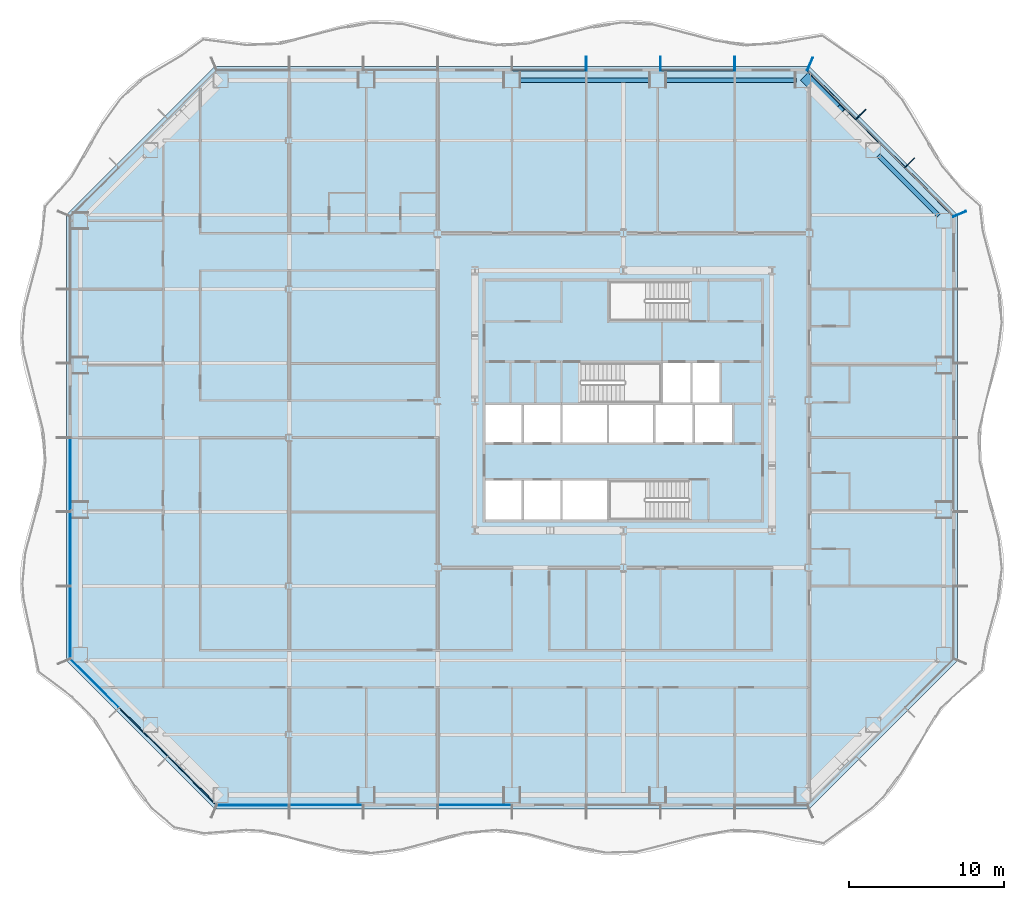
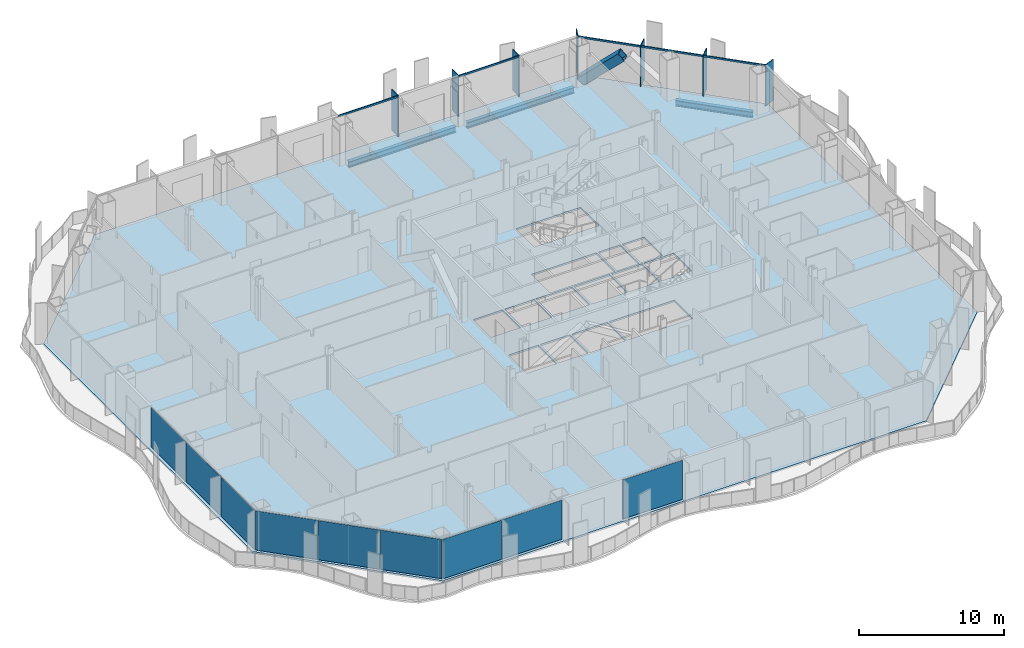
# One storey, part 4 of 20: 13 members, 9 plates, 3 beams, 1 slab, 5 elements without a shape of their own.
"""IFC4 building model written with IfcOpenShell, lengths in metres."""

from ifc_helpers import new_model, si_unit, direction, frame, origin, origin_2d, place, context, subcontext, project, spatial, polyline, rectangle, hollow_rectangle, i_section, outline, extrude, material, layer, layer_set, material_profile, profile_set, type_object, element, aggregate, save


model = new_model("IFC4")

# Units and contexts
model_context = context("Model", 3, precision=1e-05, world=origin(), true_north=direction((0.0, 1.0)))
body_context = subcontext(model_context, "Body", "Model", "MODEL_VIEW")
ifc_project = project(units=[si_unit("LENGTHUNIT", "METRE"), si_unit("AREAUNIT", "SQUARE_METRE"), si_unit("VOLUMEUNIT", "CUBIC_METRE"), si_unit("PLANEANGLEUNIT", "RADIAN"), si_unit("MASSUNIT", "GRAM", prefix="KILO")], contexts=[model_context])

# Site, building, storey
site_placement = place(None, origin())
site = spatial("IfcSite", under=ifc_project, at=site_placement, CompositionType="ELEMENT")
building_placement = place(site_placement, origin())
building = spatial("IfcBuilding", under=site, at=building_placement, Name="Cairn Pilgrim Tower", CompositionType="ELEMENT")
storey_placement = place(building_placement, frame((0.0, 0.0, 61.800048828125)))
storey = spatial("IfcBuildingStorey", under=building, at=storey_placement, Name="L13", CompositionType="ELEMENT", Elevation=61.800048828125)

# Member
ifc_material_1 = material(Name="Structural steel S460M", Category="steel")
ifc_material_profile_1 = material_profile(ifc_material_1, hollow_rectangle(XDim=0.699951171875, YDim=0.699951171875, WallThickness=0.0400390625, at=origin_2d()), Name="BOX 700x700x40")
ifc_profile_set_1 = profile_set([ifc_material_profile_1], Name="Structural steel S460M")
member_type_1 = type_object("IfcMemberType", Name="BOX 700x700x40 BRACE", PredefinedType="BRACE", material=ifc_profile_set_1)
member_1_placement = place(storey_placement, frame((19.0498046875, 23.181396484375, 0.14990234375), z_axis=(0.528096125699, -0.528096125699, 0.665002980477), x_axis=(0.707106781187, 0.707106781187, 0.0)))
element("IfcMember", 1, at=member_1_placement, inside=storey, type_object=member_type_1, Name="XB-NE2-N1-2", PredefinedType="BRACE", context=body_context, shape_type="SweptSolid", body=[
    extrude(hollow_rectangle(XDim=0.699951171875, YDim=0.699951171875, WallThickness=0.0400390625, at=origin_2d()), origin(), (0.0, 0.0, 1.0), 3.89990234375),
])

# Curtain wall, members
ifc_material_2 = material(Name="Aluminium alloy 6063-T6 bronze anodised with Bronze tinted laminated low-E glass 8+16+8.8", Category="aluminium")
curtain_wall_type_1 = type_object("IfcCurtainWallType", Name="CHAMFER CORNER CURTAIN WALL", PredefinedType="NOTDEFINED", material=ifc_material_2)
curtain_wall_1_placement = place(storey_placement, origin())
curtain_wall_1 = element("IfcCurtainWall", 2, at=curtain_wall_1_placement, inside=storey, type_object=curtain_wall_type_1, Name="Chamfer Corner Curtain Wall NE", PredefinedType="NOTDEFINED")
ifc_material_3 = material(Name="Aluminium alloy 6063-T6 bronze anodised", Category="aluminium")
ifc_material_profile_2 = material_profile(ifc_material_3, rectangle(XDim=0.89990234375, YDim=0.06005859375, at=origin_2d()), Name="FIN MULLION 60x900 BRONZE")
ifc_profile_set_2 = profile_set([ifc_material_profile_2], Name="Aluminium alloy 6063-T6 bronze anodised")
member_type_2 = type_object("IfcMemberType", Name="FIN MULLION 60x900 BRONZE", PredefinedType="MULLION", material=ifc_profile_set_2)
member_2_placement = place(storey_placement, frame((28.93798828125, 14.457275390625, 0.0), z_axis=(0.0, 0.0, 1.0), x_axis=(0.923879532511, 0.382683432365, 0.0)))
member_2 = element("IfcMember", 3, at=member_2_placement, type_object=member_type_2, Name="Fin mullion NE1", PredefinedType="MULLION", context=body_context, shape_type="SweptSolid", body=[
    extrude(rectangle(XDim=0.89990234375, YDim=0.06005859375, at=origin_2d()), origin(), (0.0, 0.0, 1.0), 3.449951171875),
])
member_3_placement = place(storey_placement, frame((25.69580078125, 17.74462890625, 0.0), z_axis=(0.0, 0.0, 1.0), x_axis=(0.707106781187, 0.707106781187, 0.0)))
member_3 = element("IfcMember", 4, at=member_3_placement, type_object=member_type_2, Name="Fin mullion NE2", PredefinedType="MULLION", context=body_context, shape_type="SweptSolid", body=[
    extrude(rectangle(XDim=0.89990234375, YDim=0.06005859375, at=origin_2d()), origin(), (0.0, 0.0, 1.0), 3.449951171875),
])
member_4_placement = place(storey_placement, frame((22.544677734375, 20.895751953125, 0.0), z_axis=(0.0, 0.0, 1.0), x_axis=(0.707106781187, 0.707106781187, 0.0)))
member_4 = element("IfcMember", 5, at=member_4_placement, type_object=member_type_2, Name="Fin mullion NE3", PredefinedType="MULLION", context=body_context, shape_type="SweptSolid", body=[
    extrude(rectangle(XDim=0.89990234375, YDim=0.06005859375, at=origin_2d()), origin(), (0.0, 0.0, 1.0), 3.449951171875),
])

curtain_wall_type_2 = type_object("IfcCurtainWallType", Name="TOWER STICK CURTAIN WALL NS", PredefinedType="NOTDEFINED", material=ifc_material_2)
curtain_wall_2_placement = place(storey_placement, origin())
curtain_wall_2 = element("IfcCurtainWall", 6, at=curtain_wall_2_placement, inside=storey, type_object=curtain_wall_type_2, Name="Tower Stick Curtain Wall Ns N", PredefinedType="NOTDEFINED")
member_5_placement = place(storey_placement, frame((19.257080078125, 24.137939453125, 0.0), z_axis=(0.0, 0.0, 1.0), x_axis=(0.382683432365, 0.923879532511, 0.0)))
member_5 = element("IfcMember", 7, at=member_5_placement, type_object=member_type_2, Name="Fin mullion N1", PredefinedType="MULLION", context=body_context, shape_type="SweptSolid", body=[
    extrude(rectangle(XDim=0.89990234375, YDim=0.06005859375, at=origin_2d()), origin(), (0.0, 0.0, 1.0), 3.449951171875),
])
member_6_placement = place(storey_placement, frame((14.39990234375, 24.169921875, 0.0), z_axis=(0.0, 0.0, 1.0), x_axis=(0.0, 1.0, 0.0)))
member_6 = element("IfcMember", 8, at=member_6_placement, type_object=member_type_2, Name="Fin mullion N2", PredefinedType="MULLION", context=body_context, shape_type="SweptSolid", body=[
    extrude(rectangle(XDim=0.89990234375, YDim=0.06005859375, at=origin_2d()), origin(), (0.0, 0.0, 1.0), 3.449951171875),
])
member_7_placement = place(storey_placement, frame((9.60009765625, 24.169921875, 0.0), z_axis=(0.0, 0.0, 1.0), x_axis=(0.0, 1.0, 0.0)))
member_7 = element("IfcMember", 9, at=member_7_placement, type_object=member_type_2, Name="Fin mullion N3", PredefinedType="MULLION", context=body_context, shape_type="SweptSolid", body=[
    extrude(rectangle(XDim=0.89990234375, YDim=0.06005859375, at=origin_2d()), origin(), (0.0, 0.0, 1.0), 3.449951171875),
])
member_8_placement = place(storey_placement, frame((4.800048828125, 24.169921875, 0.0), z_axis=(0.0, 0.0, 1.0), x_axis=(0.0, 1.0, 0.0)))
member_8 = element("IfcMember", 10, at=member_8_placement, type_object=member_type_2, Name="Fin mullion N4", PredefinedType="MULLION", context=body_context, shape_type="SweptSolid", body=[
    extrude(rectangle(XDim=0.89990234375, YDim=0.06005859375, at=origin_2d()), origin(), (0.0, 0.0, 1.0), 3.449951171875),
])

# Beams
ifc_material_4 = material(Name="Structural steel S355J2", Category="steel")
ifc_material_profile_3 = material_profile(ifc_material_4, i_section(OverallWidth=0.300048828125, OverallDepth=0.5, WebThickness=0.014404296875, FlangeThickness=0.028076171875, FilletRadius=0.027099609375, at=origin_2d()), Name="HEB 500")
ifc_profile_set_3 = profile_set([ifc_material_profile_3], Name="Structural steel S355J2")
beam_type = type_object("IfcBeamType", Name="HEB 500 RING GIRDER", PredefinedType="SPANDREL", material=ifc_profile_set_3)
beam_placement = place(storey_placement, frame((27.581787109375, 14.345458984375, -0.400146484375), z_axis=(-0.707106781187, 0.707106781187, 0.0), x_axis=(-0.707106781187, -0.707106781187, 0.0)))
element("IfcBeam", 11, at=beam_placement, inside=storey, type_object=beam_type, Name="RG1-NE1-NE2", PredefinedType="SPANDREL", context=body_context, shape_type="SweptSolid", body=[
    extrude(i_section(OverallWidth=0.300048828125, OverallDepth=0.5, WebThickness=0.014404296875, FlangeThickness=0.028076171875, FilletRadius=0.027099609375, at=origin_2d()), origin(), (0.0, 0.0, 1.0), 5.515380859375),
])
for number, where, z_axis, x_axis, name in (
    (12, (18.377197265625, 23.10009765625, -0.400146484375), (-1.0, 0.0, 0.0), (0.0, -1.0, 0.0), "RG1-N1-N2"),
    (13, (8.963623046875, 23.10009765625, -0.400146484375), (-1.0, 0.0, 0.0), (0.0, -1.0, 0.0), "RG1-N2-N3"),
):
    element("IfcBeam", number, at=place(storey_placement, frame(where, z_axis=z_axis, x_axis=x_axis)), inside=storey, type_object=beam_type, Name=name, PredefinedType="SPANDREL", context=body_context, shape_type="SweptSolid", body=[
        extrude(i_section(OverallWidth=0.300048828125, OverallDepth=0.5, WebThickness=0.014404296875, FlangeThickness=0.028076171875, FilletRadius=0.027099609375, at=origin_2d()), origin(), (0.0, 0.0, 1.0), 8.513671875),
    ])

# Member
ifc_material_profile_4 = material_profile(ifc_material_3, rectangle(XDim=0.080078125, YDim=0.14990234375, at=origin_2d()), Name="TRANSOM 80x150 BRONZE")
ifc_profile_set_4 = profile_set([ifc_material_profile_4], Name="Aluminium alloy 6063-T6 bronze anodised")
member_type_3 = type_object("IfcMemberType", Name="TRANSOM 80x150 BRONZE", PredefinedType="USERDEFINED", material=ifc_profile_set_4)
member_9_placement = place(storey_placement, frame((28.521728515625, 14.32470703125, 3.375), z_axis=(-0.707106781187, 0.707106781187, 0.0), x_axis=(-0.707106781187, -0.707106781187, 0.0)))
member_9 = element("IfcMember", 14, at=member_9_placement, type_object=member_type_3, Name="Transom NE1", ObjectType="TRANSOM", PredefinedType="USERDEFINED", context=body_context, shape_type="SweptSolid", body=[
    extrude(rectangle(XDim=0.080078125, YDim=0.14990234375, at=origin_2d()), origin(), (0.0, 0.0, 1.0), 4.38671875),
])

member_10_placement = place(storey_placement, frame((25.377685546875, 17.46875, 3.375), z_axis=(-0.707106781187, 0.707106781187, 0.0), x_axis=(-0.707106781187, -0.707106781187, 0.0)))
member_10 = element("IfcMember", 15, at=member_10_placement, type_object=member_type_3, Name="Transom NE2", ObjectType="TRANSOM", PredefinedType="USERDEFINED", context=body_context, shape_type="SweptSolid", body=[
    extrude(rectangle(XDim=0.080078125, YDim=0.14990234375, at=origin_2d()), origin(), (0.0, 0.0, 1.0), 4.396728515625),
])

member_11_placement = place(storey_placement, frame((22.226318359375, 20.6201171875, 3.375), z_axis=(-0.707106781187, 0.707106781187, 0.0), x_axis=(-0.707106781187, -0.707106781187, 0.0)))
member_11 = element("IfcMember", 16, at=member_11_placement, type_object=member_type_3, Name="Transom NE3", ObjectType="TRANSOM", PredefinedType="USERDEFINED", context=body_context, shape_type="SweptSolid", body=[
    extrude(rectangle(XDim=0.080078125, YDim=0.14990234375, at=origin_2d()), origin(), (0.0, 0.0, 1.0), 4.38623046875),
])

aggregate(curtain_wall_1, [member_2, member_3, member_4, member_9, member_10, member_11])

member_12_placement = place(storey_placement, frame((14.3701171875, 23.75, 3.375), z_axis=(-1.0, 0.0, 0.0), x_axis=(0.0, -1.0, 0.0)))
member_12 = element("IfcMember", 17, at=member_12_placement, type_object=member_type_3, Name="Transom N2", ObjectType="TRANSOM", PredefinedType="USERDEFINED", context=body_context, shape_type="SweptSolid", body=[
    extrude(rectangle(XDim=0.080078125, YDim=0.14990234375, at=origin_2d()), origin(), (0.0, 0.0, 1.0), 4.740234375),
])

member_13_placement = place(storey_placement, frame((4.77001953125, 23.75, 3.375), z_axis=(-1.0, 0.0, 0.0), x_axis=(0.0, -1.0, 0.0)))
member_13 = element("IfcMember", 18, at=member_13_placement, type_object=member_type_3, Name="Transom N4", ObjectType="TRANSOM", PredefinedType="USERDEFINED", context=body_context, shape_type="SweptSolid", body=[
    extrude(rectangle(XDim=0.080078125, YDim=0.14990234375, at=origin_2d()), origin(), (0.0, 0.0, 1.0), 4.739990234375),
])

aggregate(curtain_wall_2, [member_5, member_6, member_7, member_8, member_12, member_13])

# Slab
ifc_material_5 = material(Name="Concrete C35/45", Category="concrete")
ifc_layer_1 = layer(ifc_material_5, 0.14990234375)
ifc_layer_set_1 = layer_set([ifc_layer_1], Name="COMPOSITE FLOOR SLAB 150")
slab_type = type_object("IfcSlabType", Name="COMPOSITE FLOOR SLAB 150", PredefinedType="FLOOR", material=ifc_layer_set_1)
slab_placement = place(storey_placement, frame((0.0, 0.0, -0.150146484375)))
element("IfcSlab", 19, at=slab_placement, inside=storey, type_object=slab_type, Name="FLOOR SLAB L13", PredefinedType="FLOOR", context=body_context, shape_type="SweptSolid", body=[
    extrude(outline(polyline([(-19.199951171875, -24.0), (19.199951171875, -24.0), (28.800048828125, -14.39990234375), (28.800048828125, 14.39990234375), (19.199951171875, 24.0), (-19.199951171875, 24.0), (-28.800048828125, 14.39990234375), (-28.800048828125, -14.39990234375), (-19.199951171875, -24.0)]), holes=[polyline([(-1.72509765625, -5.300048828125), (0.625, -5.300048828125), (0.625, -2.77490234375), (-1.72509765625, -2.77490234375), (-1.72509765625, -5.300048828125)]), polyline([(0.77490234375, -5.300048828125), (3.125, -5.300048828125), (3.125, -2.77490234375), (0.77490234375, -2.77490234375), (0.77490234375, -5.300048828125)]), polyline([(-1.72509765625, -0.324951171875), (0.625, -0.324951171875), (0.625, 2.125), (-1.72509765625, 2.125), (-1.72509765625, -0.324951171875)]), polyline([(0.77490234375, -0.324951171875), (3.125, -0.324951171875), (3.125, 2.125), (0.77490234375, 2.125), (0.77490234375, -0.324951171875)]), polyline([(3.27490234375, -5.300048828125), (6.125, -5.300048828125), (6.125, -2.77490234375), (3.27490234375, -2.77490234375), (3.27490234375, -5.300048828125)]), polyline([(3.27490234375, -0.324951171875), (6.125, -0.324951171875), (6.125, 2.125), (3.27490234375, 2.125), (3.27490234375, -0.324951171875)]), polyline([(6.27490234375, -0.324951171875), (9.125, -0.324951171875), (9.125, 2.125), (6.27490234375, 2.125), (6.27490234375, -0.324951171875)]), polyline([(9.27490234375, -0.324951171875), (11.675048828125, -0.324951171875), (11.675048828125, 2.125), (9.27490234375, 2.125), (9.27490234375, -0.324951171875)]), polyline([(11.824951171875, -0.324951171875), (14.22509765625, -0.324951171875), (14.22509765625, 2.125), (11.824951171875, 2.125), (11.824951171875, -0.324951171875)]), polyline([(9.77490234375, 2.27490234375), (11.52490234375, 2.27490234375), (11.52490234375, 4.824951171875), (9.77490234375, 4.824951171875), (9.77490234375, 2.27490234375)]), polyline([(11.675048828125, 2.27490234375), (13.425048828125, 2.27490234375), (13.425048828125, 4.824951171875), (11.675048828125, 4.824951171875), (11.675048828125, 2.27490234375)]), polyline([(11.424560546875, -2.77490234375), (6.27490234375, -2.77490234375), (6.27490234375, -5.300048828125), (11.424560546875, -5.300048828125), (11.424560546875, -2.77490234375)]), polyline([(4.4755859375, 2.27490234375), (9.625, 2.27490234375), (9.625, 4.824951171875), (4.4755859375, 4.824951171875), (4.4755859375, 2.27490234375)]), polyline([(11.424560546875, 10.10009765625), (6.27490234375, 10.10009765625), (6.27490234375, 7.574951171875), (11.424560546875, 7.574951171875), (11.424560546875, 10.10009765625)])]), origin(), (0.0, 0.0, 1.0), 0.150146484375),
])

# Curtain wall, plates
curtain_wall_3_placement = place(storey_placement, origin())
curtain_wall_3 = element("IfcCurtainWall", 20, at=curtain_wall_3_placement, inside=storey, type_object=curtain_wall_type_1, Name="Chamfer Corner Curtain Wall SW", PredefinedType="NOTDEFINED")
ifc_material_6 = material(Name="Bronze anodised aluminium spandrel panel with mineral wool insulation", Category="aluminium")
ifc_layer_2 = layer(ifc_material_6, 0.06005859375)
ifc_layer_set_2 = layer_set([ifc_layer_2], Name="SPANDREL PANEL 4386x3300")
plate_type_1 = type_object("IfcPlateType", Name="SPANDREL PANEL 4386x3300", PredefinedType="CURTAIN_PANEL", material=ifc_layer_set_2)
plate_1_placement = place(storey_placement, frame((-20.675537109375, -22.1708984375, 0.0), z_axis=(0.0, 0.0, 1.0), x_axis=(0.707106781187, -0.707106781187, 0.0)))
plate_1 = element("IfcPlate", 21, at=plate_1_placement, type_object=plate_type_1, Name="Spandrel Panel SW3-1", PredefinedType="CURTAIN_PANEL", context=body_context, shape_type="SweptSolid", body=[
    extrude(rectangle(XDim=4.386474609375, YDim=0.06005859375, at=origin_2d()), origin(), (0.0, 0.0, 1.0), 3.300048828125),
])
ifc_layer_3 = layer(ifc_material_6, 0.06005859375)
ifc_layer_set_3 = layer_set([ifc_layer_3], Name="SPANDREL PANEL 4396x3300")
plate_type_2 = type_object("IfcPlateType", Name="SPANDREL PANEL 4396x3300", PredefinedType="CURTAIN_PANEL", material=ifc_layer_set_3)
plate_2_placement = place(storey_placement, frame((-23.8232421875, -19.023193359375, 0.0), z_axis=(0.0, 0.0, 1.0), x_axis=(0.707106781187, -0.707106781187, 0.0)))
plate_2 = element("IfcPlate", 22, at=plate_2_placement, type_object=plate_type_2, Name="Spandrel Panel SW2-1", PredefinedType="CURTAIN_PANEL", context=body_context, shape_type="SweptSolid", body=[
    extrude(rectangle(XDim=4.396484375, YDim=0.06005859375, at=origin_2d()), origin(), (0.0, 0.0, 1.0), 3.300048828125),
])

# Curtain wall, plate
curtain_wall_4_placement = place(storey_placement, origin())
curtain_wall_4 = element("IfcCurtainWall", 23, at=curtain_wall_4_placement, inside=storey, type_object=curtain_wall_type_2, Name="Tower Stick Curtain Wall Ns S", PredefinedType="NOTDEFINED")
ifc_layer_4 = layer(ifc_material_6, 0.06005859375)
ifc_layer_set_4 = layer_set([ifc_layer_4], Name="SPANDREL PANEL 4626x3300")
plate_type_3 = type_object("IfcPlateType", Name="SPANDREL PANEL 4626x3300", PredefinedType="CURTAIN_PANEL", material=ifc_layer_set_4)
plate_3_placement = place(storey_placement, frame((-16.7431640625, -23.75, 0.0), z_axis=(0.0, 0.0, 1.0), x_axis=(1.0, 0.0, 0.0)))
plate_3 = element("IfcPlate", 24, at=plate_3_placement, type_object=plate_type_3, Name="Spandrel Panel S1-1", PredefinedType="CURTAIN_PANEL", context=body_context, shape_type="SweptSolid", body=[
    extrude(rectangle(XDim=4.62646484375, YDim=0.06005859375, at=origin_2d()), origin(), (0.0, 0.0, 1.0), 3.300048828125),
])

# Plate
ifc_material_7 = material(Name="Bronze tinted laminated low-E glass 8+16+8.8", Category="glass")
ifc_layer_5 = layer(ifc_material_7, 0.033935546875)
ifc_layer_set_5 = layer_set([ifc_layer_5], Name="VISION GLAZING 4386x3300")
plate_type_4 = type_object("IfcPlateType", Name="VISION GLAZING 4386x3300", PredefinedType="CURTAIN_PANEL", material=ifc_layer_set_5)
plate_4_placement = place(storey_placement, frame((-26.970947265625, -15.87548828125, 0.0), z_axis=(0.0, 0.0, 1.0), x_axis=(0.707106781187, -0.707106781187, 0.0)))
plate_4 = element("IfcPlate", 25, at=plate_4_placement, type_object=plate_type_4, Name="Vision Glazing SW1-1", PredefinedType="CURTAIN_PANEL", context=body_context, shape_type="SweptSolid", body=[
    extrude(rectangle(XDim=4.386474609375, YDim=0.033935546875, at=origin_2d()), origin(), (0.0, 0.0, 1.0), 3.300048828125),
])

aggregate(curtain_wall_3, [plate_4, plate_2, plate_1])

# Curtain wall, plate
curtain_wall_type_3 = type_object("IfcCurtainWallType", Name="TOWER STICK CURTAIN WALL EW", PredefinedType="NOTDEFINED", material=ifc_material_2)
curtain_wall_5_placement = place(storey_placement, origin())
curtain_wall_5 = element("IfcCurtainWall", 26, at=curtain_wall_5_placement, inside=storey, type_object=curtain_wall_type_3, Name="Tower Stick Curtain Wall Ew W", PredefinedType="NOTDEFINED")
ifc_layer_6 = layer(ifc_material_7, 0.033935546875)
ifc_layer_set_6 = layer_set([ifc_layer_6], Name="VISION GLAZING 4626x3300")
plate_type_5 = type_object("IfcPlateType", Name="VISION GLAZING 4626x3300", PredefinedType="CURTAIN_PANEL", material=ifc_layer_set_6)
plate_5_placement = place(storey_placement, frame((-28.550048828125, -11.943115234375, 0.0), z_axis=(0.0, 0.0, 1.0), x_axis=(0.0, -1.0, 0.0)))
plate_5 = element("IfcPlate", 27, at=plate_5_placement, type_object=plate_type_5, Name="Vision Glazing W6-1", PredefinedType="CURTAIN_PANEL", context=body_context, shape_type="SweptSolid", body=[
    extrude(rectangle(XDim=4.62646484375, YDim=0.033935546875, at=origin_2d()), origin(), (0.0, 0.0, 1.0), 3.300048828125),
])

# Plate
ifc_layer_7 = layer(ifc_material_7, 0.033935546875)
ifc_layer_set_7 = layer_set([ifc_layer_7], Name="VISION GLAZING 4740x3300")
plate_type_6 = type_object("IfcPlateType", Name="VISION GLAZING 4740x3300", PredefinedType="CURTAIN_PANEL", material=ifc_layer_set_7)
plate_6_placement = place(storey_placement, frame((-12.0, -23.75, 0.0), z_axis=(0.0, 0.0, 1.0), x_axis=(1.0, 0.0, 0.0)))
plate_6 = element("IfcPlate", 28, at=plate_6_placement, type_object=plate_type_6, Name="Vision Glazing S2-1", PredefinedType="CURTAIN_PANEL", context=body_context, shape_type="SweptSolid", body=[
    extrude(rectangle(XDim=4.739990234375, YDim=0.033935546875, at=origin_2d()), origin(), (0.0, 0.0, 1.0), 3.300048828125),
])

plate_7_placement = place(storey_placement, frame((-2.39990234375, -23.75, 0.0), z_axis=(0.0, 0.0, 1.0), x_axis=(1.0, 0.0, 0.0)))
plate_7 = element("IfcPlate", 29, at=plate_7_placement, type_object=plate_type_6, Name="Vision Glazing S4-1", PredefinedType="CURTAIN_PANEL", context=body_context, shape_type="SweptSolid", body=[
    extrude(rectangle(XDim=4.739990234375, YDim=0.033935546875, at=origin_2d()), origin(), (0.0, 0.0, 1.0), 3.300048828125),
])

aggregate(curtain_wall_4, [plate_3, plate_6, plate_7])

plate_8_placement = place(storey_placement, frame((-28.550048828125, -2.39990234375, 0.0), z_axis=(0.0, 0.0, 1.0), x_axis=(0.0, -1.0, 0.0)))
plate_8 = element("IfcPlate", 30, at=plate_8_placement, type_object=plate_type_6, Name="Vision Glazing W4-1", PredefinedType="CURTAIN_PANEL", context=body_context, shape_type="SweptSolid", body=[
    extrude(rectangle(XDim=4.739990234375, YDim=0.033935546875, at=origin_2d()), origin(), (0.0, 0.0, 1.0), 3.300048828125),
])

plate_9_placement = place(storey_placement, frame((-28.550048828125, -7.199951171875, 0.0), z_axis=(0.0, 0.0, 1.0), x_axis=(0.0, -1.0, 0.0)))
plate_9 = element("IfcPlate", 31, at=plate_9_placement, type_object=plate_type_6, Name="Vision Glazing W5-1", PredefinedType="CURTAIN_PANEL", context=body_context, shape_type="SweptSolid", body=[
    extrude(rectangle(XDim=4.739990234375, YDim=0.033935546875, at=origin_2d()), origin(), (0.0, 0.0, 1.0), 3.300048828125),
])

aggregate(curtain_wall_5, [plate_8, plate_9, plate_5])

save(model, "model.ifc")
